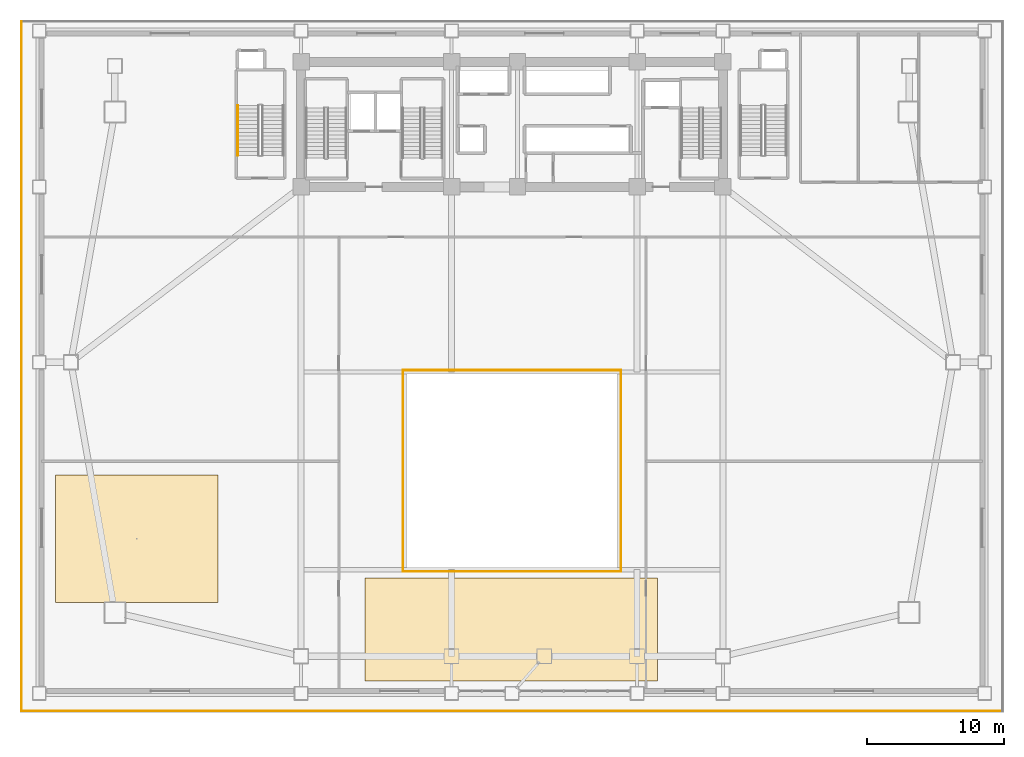
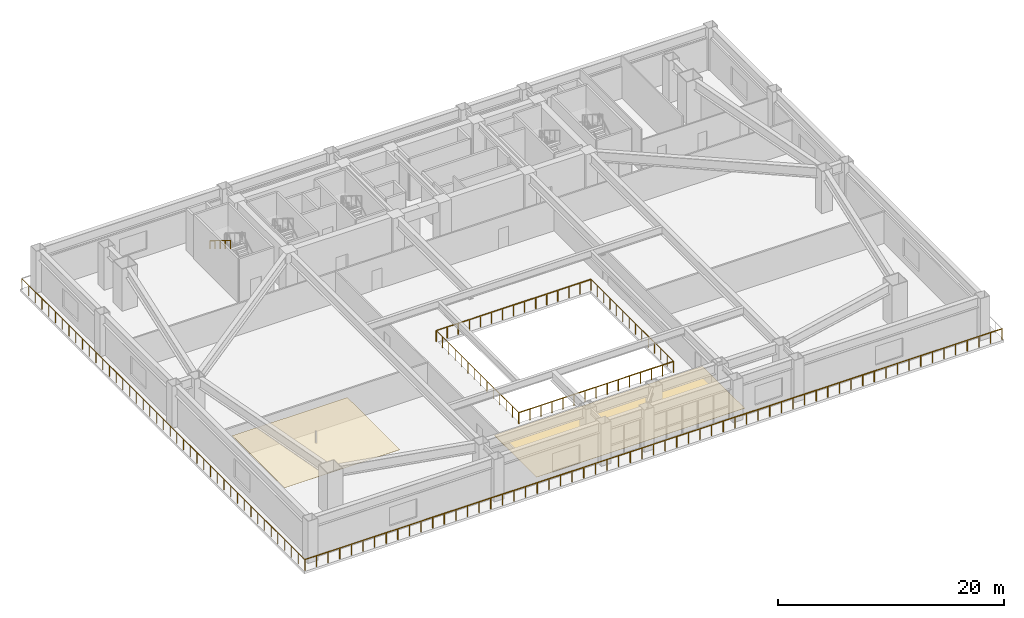
# One storey, part 11 of 14: 7 railings, 2 coverings.
"""IFC4 building model written with IfcOpenShell, lengths in metres."""

from ifc_helpers import new_model, si_unit, direction, frame, origin, origin_2d, place, context, subcontext, project, spatial, polyline, rectangle, outline, extrude, material, layer, layer_set, type_object, element, save


model = new_model("IFC4")

# Units and contexts
model_context = context("Model", 3, precision=1e-05, world=origin(), true_north=direction((0.0, 1.0)))
body_context = subcontext(model_context, "Body", "Model", "MODEL_VIEW")
ifc_project = project(units=[si_unit("LENGTHUNIT", "METRE"), si_unit("AREAUNIT", "SQUARE_METRE"), si_unit("VOLUMEUNIT", "CUBIC_METRE"), si_unit("PLANEANGLEUNIT", "RADIAN"), si_unit("MASSUNIT", "GRAM", prefix="KILO")], contexts=[model_context])

# Site, building, storey
site_placement = place(None, origin())
site = spatial("IfcSite", under=ifc_project, at=site_placement, CompositionType="ELEMENT")
building_placement = place(site_placement, origin())
building = spatial("IfcBuilding", under=site, at=building_placement, Name="Giltprow Tower", CompositionType="ELEMENT")
storey_placement = place(building_placement, frame((0.0, 0.0, 10.39990234375)))
storey = spatial("IfcBuildingStorey", under=building, at=storey_placement, Name="L03", CompositionType="ELEMENT", Elevation=10.39990234375)

# Coverings
ifc_material_1 = material(Name="Acoustic mineral fibre", Category="gypsum")
ifc_layer_1 = layer(ifc_material_1, 0.030029296875, Name="Acoustic mineral fibre")
ifc_layer_set_1 = layer_set([ifc_layer_1], Name="Acoustic mineral fibre")
covering_type_1 = type_object("IfcCoveringType", Name="COV-CLG-ACOUSTIC", PredefinedType="CEILING", material=ifc_layer_set_1)
covering_1_placement = place(storey_placement, frame((0.0, 0.0, 3.27001953125)))
element("IfcCovering", 1, at=covering_1_placement, inside=storey, type_object=covering_type_1, Name="L03 Acoustic Suspended Ceiling", PredefinedType="CEILING", context=body_context, shape_type="SweptSolid", body=[
    extrude(outline(polyline([(2.0, 7.199951171875), (13.800048828125, 7.199951171875), (13.800048828125, 16.5), (2.0, 16.5), (2.0, 7.199951171875)])), origin(), (0.0, 0.0, 1.0), 0.030029296875),
])
ifc_material_2 = material(Name="Honed granite", Category="masonry")
ifc_layer_2 = layer(ifc_material_2, 0.030029296875, Name="Honed granite")
ifc_layer_set_2 = layer_set([ifc_layer_2], Name="Honed granite")
covering_type_2 = type_object("IfcCoveringType", Name="COV-FLR-STONE", PredefinedType="FLOORING", material=ifc_layer_set_2)
covering_2_placement = place(storey_placement, origin())
element("IfcCovering", 2, at=covering_2_placement, inside=storey, type_object=covering_type_2, Name="L03 Honed Granite Concourse Flooring", PredefinedType="FLOORING", context=body_context, shape_type="SweptSolid", body=[
    extrude(outline(polyline([(24.5, 1.5), (45.800048828125, 1.5), (45.800048828125, 9.0), (24.5, 9.0), (24.5, 1.5)])), origin(), (0.0, 0.0, 1.0), 0.030029296875),
])

# Railings
ifc_material_3 = material(Name="Anodized bronze", Category="metal")
railing_type_1 = type_object("IfcRailingType", Name="RAIL-ATR-BAL-1220", PredefinedType="BALUSTRADE", material=ifc_material_3)
railing_1_placement = place(storey_placement, frame((27.280029296875, 9.47998046875, 0.0)))
element("IfcRailing", 3, at=railing_1_placement, inside=storey, type_object=railing_type_1, Name="L03 Podium Atrium Balustrade Seg 1", PredefinedType="BALUSTRADE", context=body_context, shape_type="SweptSolid", body=[
    extrude(rectangle(XDim=0.048095703125, YDim=0.048095703125, at=origin_2d()), frame((0.0, 0.0, 1.19580078125), z_axis=(1.0, 0.0, 0.0), x_axis=(0.0, 1.0, 0.0)), (0.0, 0.0, 1.0), 15.840087890625),
    extrude(rectangle(XDim=0.0419921875, YDim=0.0419921875, at=origin_2d()), origin(), (0.0, 0.0, 1.0), 1.171875),
    extrude(rectangle(XDim=0.0419921875, YDim=0.0419921875, at=origin_2d()), frame((1.13134765625, 0.0, 0.0)), (0.0, 0.0, 1.0), 1.171875),
    extrude(rectangle(XDim=0.0419921875, YDim=0.0419921875, at=origin_2d()), frame((2.262939453125, 0.0, 0.0)), (0.0, 0.0, 1.0), 1.171875),
    extrude(rectangle(XDim=0.0419921875, YDim=0.0419921875, at=origin_2d()), frame((3.394287109375, 0.0, 0.0)), (0.0, 0.0, 1.0), 1.171875),
    extrude(rectangle(XDim=0.0419921875, YDim=0.0419921875, at=origin_2d()), frame((4.525634765625, 0.0, 0.0)), (0.0, 0.0, 1.0), 1.171875),
    extrude(rectangle(XDim=0.0419921875, YDim=0.0419921875, at=origin_2d()), frame((5.6572265625, 0.0, 0.0)), (0.0, 0.0, 1.0), 1.171875),
    extrude(rectangle(XDim=0.0419921875, YDim=0.0419921875, at=origin_2d()), frame((6.78857421875, 0.0, 0.0)), (0.0, 0.0, 1.0), 1.171875),
    extrude(rectangle(XDim=0.0419921875, YDim=0.0419921875, at=origin_2d()), frame((7.919921875, 0.0, 0.0)), (0.0, 0.0, 1.0), 1.171875),
    extrude(rectangle(XDim=0.0419921875, YDim=0.0419921875, at=origin_2d()), frame((9.051513671875, 0.0, 0.0)), (0.0, 0.0, 1.0), 1.171875),
    extrude(rectangle(XDim=0.0419921875, YDim=0.0419921875, at=origin_2d()), frame((10.182861328125, 0.0, 0.0)), (0.0, 0.0, 1.0), 1.171875),
    extrude(rectangle(XDim=0.0419921875, YDim=0.0419921875, at=origin_2d()), frame((11.314453125, 0.0, 0.0)), (0.0, 0.0, 1.0), 1.171875),
    extrude(rectangle(XDim=0.0419921875, YDim=0.0419921875, at=origin_2d()), frame((12.44580078125, 0.0, 0.0)), (0.0, 0.0, 1.0), 1.171875),
    extrude(rectangle(XDim=0.0419921875, YDim=0.0419921875, at=origin_2d()), frame((13.5771484375, 0.0, 0.0)), (0.0, 0.0, 1.0), 1.171875),
    extrude(rectangle(XDim=0.0419921875, YDim=0.0419921875, at=origin_2d()), frame((14.708740234375, 0.0, 0.0)), (0.0, 0.0, 1.0), 1.171875),
    extrude(rectangle(XDim=0.0419921875, YDim=0.0419921875, at=origin_2d()), frame((15.840087890625, 0.0, 0.0)), (0.0, 0.0, 1.0), 1.171875),
])
railing_2_placement = place(storey_placement, frame((43.1201171875, 9.47998046875, 0.0)))
element("IfcRailing", 4, at=railing_2_placement, inside=storey, type_object=railing_type_1, Name="L03 Podium Atrium Balustrade Seg 2", PredefinedType="BALUSTRADE", context=body_context, shape_type="SweptSolid", body=[
    extrude(rectangle(XDim=0.048095703125, YDim=0.048095703125, at=origin_2d()), frame((0.0, 0.0, 1.19580078125), z_axis=(0.0, 1.0, 0.0), x_axis=(-1.0, 0.0, 0.0)), (0.0, 0.0, 1.0), 14.64013671875),
    extrude(rectangle(XDim=0.0419921875, YDim=0.0419921875, at=origin_2d()), origin(), (0.0, 0.0, 1.0), 1.171875),
    extrude(rectangle(XDim=0.0419921875, YDim=0.0419921875, at=origin_2d()), frame((0.0, 1.126220703125, 0.0)), (0.0, 0.0, 1.0), 1.171875),
    extrude(rectangle(XDim=0.0419921875, YDim=0.0419921875, at=origin_2d()), frame((0.0, 2.25244140625, 0.0)), (0.0, 0.0, 1.0), 1.171875),
    extrude(rectangle(XDim=0.0419921875, YDim=0.0419921875, at=origin_2d()), frame((0.0, 3.37841796875, 0.0)), (0.0, 0.0, 1.0), 1.171875),
    extrude(rectangle(XDim=0.0419921875, YDim=0.0419921875, at=origin_2d()), frame((0.0, 4.504638671875, 0.0)), (0.0, 0.0, 1.0), 1.171875),
    extrude(rectangle(XDim=0.0419921875, YDim=0.0419921875, at=origin_2d()), frame((0.0, 5.630859375, 0.0)), (0.0, 0.0, 1.0), 1.171875),
    extrude(rectangle(XDim=0.0419921875, YDim=0.0419921875, at=origin_2d()), frame((0.0, 6.757080078125, 0.0)), (0.0, 0.0, 1.0), 1.171875),
    extrude(rectangle(XDim=0.0419921875, YDim=0.0419921875, at=origin_2d()), frame((0.0, 7.883056640625, 0.0)), (0.0, 0.0, 1.0), 1.171875),
    extrude(rectangle(XDim=0.0419921875, YDim=0.0419921875, at=origin_2d()), frame((0.0, 9.00927734375, 0.0)), (0.0, 0.0, 1.0), 1.171875),
    extrude(rectangle(XDim=0.0419921875, YDim=0.0419921875, at=origin_2d()), frame((0.0, 10.135498046875, 0.0)), (0.0, 0.0, 1.0), 1.171875),
    extrude(rectangle(XDim=0.0419921875, YDim=0.0419921875, at=origin_2d()), frame((0.0, 11.26171875, 0.0)), (0.0, 0.0, 1.0), 1.171875),
    extrude(rectangle(XDim=0.0419921875, YDim=0.0419921875, at=origin_2d()), frame((0.0, 12.3876953125, 0.0)), (0.0, 0.0, 1.0), 1.171875),
    extrude(rectangle(XDim=0.0419921875, YDim=0.0419921875, at=origin_2d()), frame((0.0, 13.513916015625, 0.0)), (0.0, 0.0, 1.0), 1.171875),
    extrude(rectangle(XDim=0.0419921875, YDim=0.0419921875, at=origin_2d()), frame((0.0, 14.64013671875, 0.0)), (0.0, 0.0, 1.0), 1.171875),
])
railing_3_placement = place(storey_placement, frame((43.1201171875, 24.1201171875, 0.0)))
element("IfcRailing", 5, at=railing_3_placement, inside=storey, type_object=railing_type_1, Name="L03 Podium Atrium Balustrade Seg 3", PredefinedType="BALUSTRADE", context=body_context, shape_type="SweptSolid", body=[
    extrude(rectangle(XDim=0.048095703125, YDim=0.048095703125, at=origin_2d()), frame((0.0, 0.0, 1.19580078125), z_axis=(-1.0, 0.0, 0.0), x_axis=(0.0, -1.0, 0.0)), (0.0, 0.0, 1.0), 15.840087890625),
    extrude(rectangle(XDim=0.0419921875, YDim=0.0419921875, at=origin_2d()), origin(), (0.0, 0.0, 1.0), 1.171875),
    extrude(rectangle(XDim=0.0419921875, YDim=0.0419921875, at=origin_2d()), frame((-1.13134765625, 0.0, 0.0)), (0.0, 0.0, 1.0), 1.171875),
    extrude(rectangle(XDim=0.0419921875, YDim=0.0419921875, at=origin_2d()), frame((-2.262939453125, 0.0, 0.0)), (0.0, 0.0, 1.0), 1.171875),
    extrude(rectangle(XDim=0.0419921875, YDim=0.0419921875, at=origin_2d()), frame((-3.394287109375, 0.0, 0.0)), (0.0, 0.0, 1.0), 1.171875),
    extrude(rectangle(XDim=0.0419921875, YDim=0.0419921875, at=origin_2d()), frame((-4.525634765625, 0.0, 0.0)), (0.0, 0.0, 1.0), 1.171875),
    extrude(rectangle(XDim=0.0419921875, YDim=0.0419921875, at=origin_2d()), frame((-5.6572265625, 0.0, 0.0)), (0.0, 0.0, 1.0), 1.171875),
    extrude(rectangle(XDim=0.0419921875, YDim=0.0419921875, at=origin_2d()), frame((-6.78857421875, 0.0, 0.0)), (0.0, 0.0, 1.0), 1.171875),
    extrude(rectangle(XDim=0.0419921875, YDim=0.0419921875, at=origin_2d()), frame((-7.919921875, 0.0, 0.0)), (0.0, 0.0, 1.0), 1.171875),
    extrude(rectangle(XDim=0.0419921875, YDim=0.0419921875, at=origin_2d()), frame((-9.051513671875, 0.0, 0.0)), (0.0, 0.0, 1.0), 1.171875),
    extrude(rectangle(XDim=0.0419921875, YDim=0.0419921875, at=origin_2d()), frame((-10.182861328125, 0.0, 0.0)), (0.0, 0.0, 1.0), 1.171875),
    extrude(rectangle(XDim=0.0419921875, YDim=0.0419921875, at=origin_2d()), frame((-11.314453125, 0.0, 0.0)), (0.0, 0.0, 1.0), 1.171875),
    extrude(rectangle(XDim=0.0419921875, YDim=0.0419921875, at=origin_2d()), frame((-12.44580078125, 0.0, 0.0)), (0.0, 0.0, 1.0), 1.171875),
    extrude(rectangle(XDim=0.0419921875, YDim=0.0419921875, at=origin_2d()), frame((-13.5771484375, 0.0, 0.0)), (0.0, 0.0, 1.0), 1.171875),
    extrude(rectangle(XDim=0.0419921875, YDim=0.0419921875, at=origin_2d()), frame((-14.708740234375, 0.0, 0.0)), (0.0, 0.0, 1.0), 1.171875),
    extrude(rectangle(XDim=0.0419921875, YDim=0.0419921875, at=origin_2d()), frame((-15.840087890625, 0.0, 0.0)), (0.0, 0.0, 1.0), 1.171875),
])
railing_4_placement = place(storey_placement, frame((27.280029296875, 24.1201171875, 0.0)))
element("IfcRailing", 6, at=railing_4_placement, inside=storey, type_object=railing_type_1, Name="L03 Podium Atrium Balustrade Seg 4", PredefinedType="BALUSTRADE", context=body_context, shape_type="SweptSolid", body=[
    extrude(rectangle(XDim=0.048095703125, YDim=0.048095703125, at=origin_2d()), frame((0.0, 0.0, 1.19580078125), z_axis=(0.0, -1.0, 0.0), x_axis=(1.0, 0.0, 0.0)), (0.0, 0.0, 1.0), 14.64013671875),
    extrude(rectangle(XDim=0.0419921875, YDim=0.0419921875, at=origin_2d()), origin(), (0.0, 0.0, 1.0), 1.171875),
    extrude(rectangle(XDim=0.0419921875, YDim=0.0419921875, at=origin_2d()), frame((0.0, -1.126220703125, 0.0)), (0.0, 0.0, 1.0), 1.171875),
    extrude(rectangle(XDim=0.0419921875, YDim=0.0419921875, at=origin_2d()), frame((0.0, -2.25244140625, 0.0)), (0.0, 0.0, 1.0), 1.171875),
    extrude(rectangle(XDim=0.0419921875, YDim=0.0419921875, at=origin_2d()), frame((0.0, -3.37841796875, 0.0)), (0.0, 0.0, 1.0), 1.171875),
    extrude(rectangle(XDim=0.0419921875, YDim=0.0419921875, at=origin_2d()), frame((0.0, -4.504638671875, 0.0)), (0.0, 0.0, 1.0), 1.171875),
    extrude(rectangle(XDim=0.0419921875, YDim=0.0419921875, at=origin_2d()), frame((0.0, -5.630859375, 0.0)), (0.0, 0.0, 1.0), 1.171875),
    extrude(rectangle(XDim=0.0419921875, YDim=0.0419921875, at=origin_2d()), frame((0.0, -6.757080078125, 0.0)), (0.0, 0.0, 1.0), 1.171875),
    extrude(rectangle(XDim=0.0419921875, YDim=0.0419921875, at=origin_2d()), frame((0.0, -7.883056640625, 0.0)), (0.0, 0.0, 1.0), 1.171875),
    extrude(rectangle(XDim=0.0419921875, YDim=0.0419921875, at=origin_2d()), frame((0.0, -9.00927734375, 0.0)), (0.0, 0.0, 1.0), 1.171875),
    extrude(rectangle(XDim=0.0419921875, YDim=0.0419921875, at=origin_2d()), frame((0.0, -10.135498046875, 0.0)), (0.0, 0.0, 1.0), 1.171875),
    extrude(rectangle(XDim=0.0419921875, YDim=0.0419921875, at=origin_2d()), frame((0.0, -11.26171875, 0.0)), (0.0, 0.0, 1.0), 1.171875),
    extrude(rectangle(XDim=0.0419921875, YDim=0.0419921875, at=origin_2d()), frame((0.0, -12.3876953125, 0.0)), (0.0, 0.0, 1.0), 1.171875),
    extrude(rectangle(XDim=0.0419921875, YDim=0.0419921875, at=origin_2d()), frame((0.0, -13.513916015625, 0.0)), (0.0, 0.0, 1.0), 1.171875),
    extrude(rectangle(XDim=0.0419921875, YDim=0.0419921875, at=origin_2d()), frame((0.0, -14.64013671875, 0.0)), (0.0, 0.0, 1.0), 1.171875),
])
railing_type_2 = type_object("IfcRailingType", Name="RAIL-BALC-GUARD-1200", PredefinedType="BALUSTRADE", material=ifc_material_3)
railing_5_placement = place(storey_placement, frame((-0.47998046875, -0.679931640625, 0.0)))
element("IfcRailing", 7, at=railing_5_placement, inside=storey, type_object=railing_type_2, Name="L03 Podium Perimeter Cornice Balustrade Seg 1", PredefinedType="BALUSTRADE", context=body_context, shape_type="SweptSolid", body=[
    extrude(rectangle(XDim=0.048095703125, YDim=0.048095703125, at=origin_2d()), frame((0.0, 0.0, 1.17578125), z_axis=(1.0, 0.0, 0.0), x_axis=(0.0, 1.0, 0.0)), (0.0, 0.0, 1.0), 71.35986328125),
    extrude(rectangle(XDim=0.0419921875, YDim=0.0419921875, at=origin_2d()), origin(), (0.0, 0.0, 1.0), 1.15185546875),
    extrude(rectangle(XDim=0.0419921875, YDim=0.0419921875, at=origin_2d()), frame((1.189453125, 0.0, 0.0)), (0.0, 0.0, 1.0), 1.15185546875),
    extrude(rectangle(XDim=0.0419921875, YDim=0.0419921875, at=origin_2d()), frame((2.378662109375, 0.0, 0.0)), (0.0, 0.0, 1.0), 1.15185546875),
    extrude(rectangle(XDim=0.0419921875, YDim=0.0419921875, at=origin_2d()), frame((3.56787109375, 0.0, 0.0)), (0.0, 0.0, 1.0), 1.15185546875),
    extrude(rectangle(XDim=0.0419921875, YDim=0.0419921875, at=origin_2d()), frame((4.75732421875, 0.0, 0.0)), (0.0, 0.0, 1.0), 1.15185546875),
    extrude(rectangle(XDim=0.0419921875, YDim=0.0419921875, at=origin_2d()), frame((5.94677734375, 0.0, 0.0)), (0.0, 0.0, 1.0), 1.15185546875),
    extrude(rectangle(XDim=0.0419921875, YDim=0.0419921875, at=origin_2d()), frame((7.135986328125, 0.0, 0.0)), (0.0, 0.0, 1.0), 1.15185546875),
    extrude(rectangle(XDim=0.0419921875, YDim=0.0419921875, at=origin_2d()), frame((8.3251953125, 0.0, 0.0)), (0.0, 0.0, 1.0), 1.15185546875),
    extrude(rectangle(XDim=0.0419921875, YDim=0.0419921875, at=origin_2d()), frame((9.5146484375, 0.0, 0.0)), (0.0, 0.0, 1.0), 1.15185546875),
    extrude(rectangle(XDim=0.0419921875, YDim=0.0419921875, at=origin_2d()), frame((10.7041015625, 0.0, 0.0)), (0.0, 0.0, 1.0), 1.15185546875),
    extrude(rectangle(XDim=0.0419921875, YDim=0.0419921875, at=origin_2d()), frame((11.893310546875, 0.0, 0.0)), (0.0, 0.0, 1.0), 1.15185546875),
    extrude(rectangle(XDim=0.0419921875, YDim=0.0419921875, at=origin_2d()), frame((13.08251953125, 0.0, 0.0)), (0.0, 0.0, 1.0), 1.15185546875),
    extrude(rectangle(XDim=0.0419921875, YDim=0.0419921875, at=origin_2d()), frame((14.27197265625, 0.0, 0.0)), (0.0, 0.0, 1.0), 1.15185546875),
    extrude(rectangle(XDim=0.0419921875, YDim=0.0419921875, at=origin_2d()), frame((15.46142578125, 0.0, 0.0)), (0.0, 0.0, 1.0), 1.15185546875),
    extrude(rectangle(XDim=0.0419921875, YDim=0.0419921875, at=origin_2d()), frame((16.650634765625, 0.0, 0.0)), (0.0, 0.0, 1.0), 1.15185546875),
    extrude(rectangle(XDim=0.0419921875, YDim=0.0419921875, at=origin_2d()), frame((17.83984375, 0.0, 0.0)), (0.0, 0.0, 1.0), 1.15185546875),
    extrude(rectangle(XDim=0.0419921875, YDim=0.0419921875, at=origin_2d()), frame((19.029296875, 0.0, 0.0)), (0.0, 0.0, 1.0), 1.15185546875),
    extrude(rectangle(XDim=0.0419921875, YDim=0.0419921875, at=origin_2d()), frame((20.21875, 0.0, 0.0)), (0.0, 0.0, 1.0), 1.15185546875),
    extrude(rectangle(XDim=0.0419921875, YDim=0.0419921875, at=origin_2d()), frame((21.407958984375, 0.0, 0.0)), (0.0, 0.0, 1.0), 1.15185546875),
    extrude(rectangle(XDim=0.0419921875, YDim=0.0419921875, at=origin_2d()), frame((22.59716796875, 0.0, 0.0)), (0.0, 0.0, 1.0), 1.15185546875),
    extrude(rectangle(XDim=0.0419921875, YDim=0.0419921875, at=origin_2d()), frame((23.78662109375, 0.0, 0.0)), (0.0, 0.0, 1.0), 1.15185546875),
    extrude(rectangle(XDim=0.0419921875, YDim=0.0419921875, at=origin_2d()), frame((24.97607421875, 0.0, 0.0)), (0.0, 0.0, 1.0), 1.15185546875),
    extrude(rectangle(XDim=0.0419921875, YDim=0.0419921875, at=origin_2d()), frame((26.165283203125, 0.0, 0.0)), (0.0, 0.0, 1.0), 1.15185546875),
    extrude(rectangle(XDim=0.0419921875, YDim=0.0419921875, at=origin_2d()), frame((27.354736328125, 0.0, 0.0)), (0.0, 0.0, 1.0), 1.15185546875),
    extrude(rectangle(XDim=0.0419921875, YDim=0.0419921875, at=origin_2d()), frame((28.5439453125, 0.0, 0.0)), (0.0, 0.0, 1.0), 1.15185546875),
    extrude(rectangle(XDim=0.0419921875, YDim=0.0419921875, at=origin_2d()), frame((29.7333984375, 0.0, 0.0)), (0.0, 0.0, 1.0), 1.15185546875),
    extrude(rectangle(XDim=0.0419921875, YDim=0.0419921875, at=origin_2d()), frame((30.922607421875, 0.0, 0.0)), (0.0, 0.0, 1.0), 1.15185546875),
    extrude(rectangle(XDim=0.0419921875, YDim=0.0419921875, at=origin_2d()), frame((32.11181640625, 0.0, 0.0)), (0.0, 0.0, 1.0), 1.15185546875),
    extrude(rectangle(XDim=0.0419921875, YDim=0.0419921875, at=origin_2d()), frame((33.30126953125, 0.0, 0.0)), (0.0, 0.0, 1.0), 1.15185546875),
    extrude(rectangle(XDim=0.0419921875, YDim=0.0419921875, at=origin_2d()), frame((34.49072265625, 0.0, 0.0)), (0.0, 0.0, 1.0), 1.15185546875),
    extrude(rectangle(XDim=0.0419921875, YDim=0.0419921875, at=origin_2d()), frame((35.679931640625, 0.0, 0.0)), (0.0, 0.0, 1.0), 1.15185546875),
    extrude(rectangle(XDim=0.0419921875, YDim=0.0419921875, at=origin_2d()), frame((36.869384765625, 0.0, 0.0)), (0.0, 0.0, 1.0), 1.15185546875),
    extrude(rectangle(XDim=0.0419921875, YDim=0.0419921875, at=origin_2d()), frame((38.05859375, 0.0, 0.0)), (0.0, 0.0, 1.0), 1.15185546875),
    extrude(rectangle(XDim=0.0419921875, YDim=0.0419921875, at=origin_2d()), frame((39.248046875, 0.0, 0.0)), (0.0, 0.0, 1.0), 1.15185546875),
    extrude(rectangle(XDim=0.0419921875, YDim=0.0419921875, at=origin_2d()), frame((40.437255859375, 0.0, 0.0)), (0.0, 0.0, 1.0), 1.15185546875),
    extrude(rectangle(XDim=0.0419921875, YDim=0.0419921875, at=origin_2d()), frame((41.62646484375, 0.0, 0.0)), (0.0, 0.0, 1.0), 1.15185546875),
    extrude(rectangle(XDim=0.0419921875, YDim=0.0419921875, at=origin_2d()), frame((42.81591796875, 0.0, 0.0)), (0.0, 0.0, 1.0), 1.15185546875),
    extrude(rectangle(XDim=0.0419921875, YDim=0.0419921875, at=origin_2d()), frame((44.00537109375, 0.0, 0.0)), (0.0, 0.0, 1.0), 1.15185546875),
    extrude(rectangle(XDim=0.0419921875, YDim=0.0419921875, at=origin_2d()), frame((45.194580078125, 0.0, 0.0)), (0.0, 0.0, 1.0), 1.15185546875),
    extrude(rectangle(XDim=0.0419921875, YDim=0.0419921875, at=origin_2d()), frame((46.3837890625, 0.0, 0.0)), (0.0, 0.0, 1.0), 1.15185546875),
    extrude(rectangle(XDim=0.0419921875, YDim=0.0419921875, at=origin_2d()), frame((47.5732421875, 0.0, 0.0)), (0.0, 0.0, 1.0), 1.15185546875),
    extrude(rectangle(XDim=0.0419921875, YDim=0.0419921875, at=origin_2d()), frame((48.7626953125, 0.0, 0.0)), (0.0, 0.0, 1.0), 1.15185546875),
    extrude(rectangle(XDim=0.0419921875, YDim=0.0419921875, at=origin_2d()), frame((49.951904296875, 0.0, 0.0)), (0.0, 0.0, 1.0), 1.15185546875),
    extrude(rectangle(XDim=0.0419921875, YDim=0.0419921875, at=origin_2d()), frame((51.14111328125, 0.0, 0.0)), (0.0, 0.0, 1.0), 1.15185546875),
    extrude(rectangle(XDim=0.0419921875, YDim=0.0419921875, at=origin_2d()), frame((52.33056640625, 0.0, 0.0)), (0.0, 0.0, 1.0), 1.15185546875),
    extrude(rectangle(XDim=0.0419921875, YDim=0.0419921875, at=origin_2d()), frame((53.52001953125, 0.0, 0.0)), (0.0, 0.0, 1.0), 1.15185546875),
    extrude(rectangle(XDim=0.0419921875, YDim=0.0419921875, at=origin_2d()), frame((54.709228515625, 0.0, 0.0)), (0.0, 0.0, 1.0), 1.15185546875),
    extrude(rectangle(XDim=0.0419921875, YDim=0.0419921875, at=origin_2d()), frame((55.8984375, 0.0, 0.0)), (0.0, 0.0, 1.0), 1.15185546875),
    extrude(rectangle(XDim=0.0419921875, YDim=0.0419921875, at=origin_2d()), frame((57.087890625, 0.0, 0.0)), (0.0, 0.0, 1.0), 1.15185546875),
    extrude(rectangle(XDim=0.0419921875, YDim=0.0419921875, at=origin_2d()), frame((58.27734375, 0.0, 0.0)), (0.0, 0.0, 1.0), 1.15185546875),
    extrude(rectangle(XDim=0.0419921875, YDim=0.0419921875, at=origin_2d()), frame((59.466552734375, 0.0, 0.0)), (0.0, 0.0, 1.0), 1.15185546875),
    extrude(rectangle(XDim=0.0419921875, YDim=0.0419921875, at=origin_2d()), frame((60.65576171875, 0.0, 0.0)), (0.0, 0.0, 1.0), 1.15185546875),
    extrude(rectangle(XDim=0.0419921875, YDim=0.0419921875, at=origin_2d()), frame((61.84521484375, 0.0, 0.0)), (0.0, 0.0, 1.0), 1.15185546875),
    extrude(rectangle(XDim=0.0419921875, YDim=0.0419921875, at=origin_2d()), frame((63.03466796875, 0.0, 0.0)), (0.0, 0.0, 1.0), 1.15185546875),
    extrude(rectangle(XDim=0.0419921875, YDim=0.0419921875, at=origin_2d()), frame((64.223876953125, 0.0, 0.0)), (0.0, 0.0, 1.0), 1.15185546875),
    extrude(rectangle(XDim=0.0419921875, YDim=0.0419921875, at=origin_2d()), frame((65.4130859375, 0.0, 0.0)), (0.0, 0.0, 1.0), 1.15185546875),
    extrude(rectangle(XDim=0.0419921875, YDim=0.0419921875, at=origin_2d()), frame((66.6025390625, 0.0, 0.0)), (0.0, 0.0, 1.0), 1.15185546875),
    extrude(rectangle(XDim=0.0419921875, YDim=0.0419921875, at=origin_2d()), frame((67.7919921875, 0.0, 0.0)), (0.0, 0.0, 1.0), 1.15185546875),
    extrude(rectangle(XDim=0.0419921875, YDim=0.0419921875, at=origin_2d()), frame((68.981201171875, 0.0, 0.0)), (0.0, 0.0, 1.0), 1.15185546875),
    extrude(rectangle(XDim=0.0419921875, YDim=0.0419921875, at=origin_2d()), frame((70.17041015625, 0.0, 0.0)), (0.0, 0.0, 1.0), 1.15185546875),
    extrude(rectangle(XDim=0.0419921875, YDim=0.0419921875, at=origin_2d()), frame((71.35986328125, 0.0, 0.0)), (0.0, 0.0, 1.0), 1.15185546875),
])
railing_6_placement = place(storey_placement, frame((-0.47998046875, 49.47998046875, 0.0)))
element("IfcRailing", 8, at=railing_6_placement, inside=storey, type_object=railing_type_2, Name="L03 Podium Perimeter Cornice Balustrade Seg 4", PredefinedType="BALUSTRADE", context=body_context, shape_type="SweptSolid", body=[
    extrude(rectangle(XDim=0.048095703125, YDim=0.048095703125, at=origin_2d()), frame((0.0, 0.0, 1.17578125), z_axis=(0.0, -1.0, 0.0), x_axis=(1.0, 0.0, 0.0)), (0.0, 0.0, 1.0), 50.159912109375),
    extrude(rectangle(XDim=0.0419921875, YDim=0.0419921875, at=origin_2d()), origin(), (0.0, 0.0, 1.0), 1.15185546875),
    extrude(rectangle(XDim=0.0419921875, YDim=0.0419921875, at=origin_2d()), frame((0.0, -1.1943359375, 0.0)), (0.0, 0.0, 1.0), 1.15185546875),
    extrude(rectangle(XDim=0.0419921875, YDim=0.0419921875, at=origin_2d()), frame((0.0, -2.388671875, 0.0)), (0.0, 0.0, 1.0), 1.15185546875),
    extrude(rectangle(XDim=0.0419921875, YDim=0.0419921875, at=origin_2d()), frame((0.0, -3.582763671875, 0.0)), (0.0, 0.0, 1.0), 1.15185546875),
    extrude(rectangle(XDim=0.0419921875, YDim=0.0419921875, at=origin_2d()), frame((0.0, -4.777099609375, 0.0)), (0.0, 0.0, 1.0), 1.15185546875),
    extrude(rectangle(XDim=0.0419921875, YDim=0.0419921875, at=origin_2d()), frame((0.0, -5.971435546875, 0.0)), (0.0, 0.0, 1.0), 1.15185546875),
    extrude(rectangle(XDim=0.0419921875, YDim=0.0419921875, at=origin_2d()), frame((0.0, -7.165771484375, 0.0)), (0.0, 0.0, 1.0), 1.15185546875),
    extrude(rectangle(XDim=0.0419921875, YDim=0.0419921875, at=origin_2d()), frame((0.0, -8.35986328125, 0.0)), (0.0, 0.0, 1.0), 1.15185546875),
    extrude(rectangle(XDim=0.0419921875, YDim=0.0419921875, at=origin_2d()), frame((0.0, -9.55419921875, 0.0)), (0.0, 0.0, 1.0), 1.15185546875),
    extrude(rectangle(XDim=0.0419921875, YDim=0.0419921875, at=origin_2d()), frame((0.0, -10.74853515625, 0.0)), (0.0, 0.0, 1.0), 1.15185546875),
    extrude(rectangle(XDim=0.0419921875, YDim=0.0419921875, at=origin_2d()), frame((0.0, -11.94287109375, 0.0)), (0.0, 0.0, 1.0), 1.15185546875),
    extrude(rectangle(XDim=0.0419921875, YDim=0.0419921875, at=origin_2d()), frame((0.0, -13.13720703125, 0.0)), (0.0, 0.0, 1.0), 1.15185546875),
    extrude(rectangle(XDim=0.0419921875, YDim=0.0419921875, at=origin_2d()), frame((0.0, -14.331298828125, 0.0)), (0.0, 0.0, 1.0), 1.15185546875),
    extrude(rectangle(XDim=0.0419921875, YDim=0.0419921875, at=origin_2d()), frame((0.0, -15.525634765625, 0.0)), (0.0, 0.0, 1.0), 1.15185546875),
    extrude(rectangle(XDim=0.0419921875, YDim=0.0419921875, at=origin_2d()), frame((0.0, -16.719970703125, 0.0)), (0.0, 0.0, 1.0), 1.15185546875),
    extrude(rectangle(XDim=0.0419921875, YDim=0.0419921875, at=origin_2d()), frame((0.0, -17.914306640625, 0.0)), (0.0, 0.0, 1.0), 1.15185546875),
    extrude(rectangle(XDim=0.0419921875, YDim=0.0419921875, at=origin_2d()), frame((0.0, -19.108642578125, 0.0)), (0.0, 0.0, 1.0), 1.15185546875),
    extrude(rectangle(XDim=0.0419921875, YDim=0.0419921875, at=origin_2d()), frame((0.0, -20.302734375, 0.0)), (0.0, 0.0, 1.0), 1.15185546875),
    extrude(rectangle(XDim=0.0419921875, YDim=0.0419921875, at=origin_2d()), frame((0.0, -21.4970703125, 0.0)), (0.0, 0.0, 1.0), 1.15185546875),
    extrude(rectangle(XDim=0.0419921875, YDim=0.0419921875, at=origin_2d()), frame((0.0, -22.69140625, 0.0)), (0.0, 0.0, 1.0), 1.15185546875),
    extrude(rectangle(XDim=0.0419921875, YDim=0.0419921875, at=origin_2d()), frame((0.0, -23.8857421875, 0.0)), (0.0, 0.0, 1.0), 1.15185546875),
    extrude(rectangle(XDim=0.0419921875, YDim=0.0419921875, at=origin_2d()), frame((0.0, -25.080078125, 0.0)), (0.0, 0.0, 1.0), 1.15185546875),
    extrude(rectangle(XDim=0.0419921875, YDim=0.0419921875, at=origin_2d()), frame((0.0, -26.274169921875, 0.0)), (0.0, 0.0, 1.0), 1.15185546875),
    extrude(rectangle(XDim=0.0419921875, YDim=0.0419921875, at=origin_2d()), frame((0.0, -27.468505859375, 0.0)), (0.0, 0.0, 1.0), 1.15185546875),
    extrude(rectangle(XDim=0.0419921875, YDim=0.0419921875, at=origin_2d()), frame((0.0, -28.662841796875, 0.0)), (0.0, 0.0, 1.0), 1.15185546875),
    extrude(rectangle(XDim=0.0419921875, YDim=0.0419921875, at=origin_2d()), frame((0.0, -29.857177734375, 0.0)), (0.0, 0.0, 1.0), 1.15185546875),
    extrude(rectangle(XDim=0.0419921875, YDim=0.0419921875, at=origin_2d()), frame((0.0, -31.05126953125, 0.0)), (0.0, 0.0, 1.0), 1.15185546875),
    extrude(rectangle(XDim=0.0419921875, YDim=0.0419921875, at=origin_2d()), frame((0.0, -32.24560546875, 0.0)), (0.0, 0.0, 1.0), 1.15185546875),
    extrude(rectangle(XDim=0.0419921875, YDim=0.0419921875, at=origin_2d()), frame((0.0, -33.43994140625, 0.0)), (0.0, 0.0, 1.0), 1.15185546875),
    extrude(rectangle(XDim=0.0419921875, YDim=0.0419921875, at=origin_2d()), frame((0.0, -34.63427734375, 0.0)), (0.0, 0.0, 1.0), 1.15185546875),
    extrude(rectangle(XDim=0.0419921875, YDim=0.0419921875, at=origin_2d()), frame((0.0, -35.82861328125, 0.0)), (0.0, 0.0, 1.0), 1.15185546875),
    extrude(rectangle(XDim=0.0419921875, YDim=0.0419921875, at=origin_2d()), frame((0.0, -37.022705078125, 0.0)), (0.0, 0.0, 1.0), 1.15185546875),
    extrude(rectangle(XDim=0.0419921875, YDim=0.0419921875, at=origin_2d()), frame((0.0, -38.217041015625, 0.0)), (0.0, 0.0, 1.0), 1.15185546875),
    extrude(rectangle(XDim=0.0419921875, YDim=0.0419921875, at=origin_2d()), frame((0.0, -39.411376953125, 0.0)), (0.0, 0.0, 1.0), 1.15185546875),
    extrude(rectangle(XDim=0.0419921875, YDim=0.0419921875, at=origin_2d()), frame((0.0, -40.605712890625, 0.0)), (0.0, 0.0, 1.0), 1.15185546875),
    extrude(rectangle(XDim=0.0419921875, YDim=0.0419921875, at=origin_2d()), frame((0.0, -41.7998046875, 0.0)), (0.0, 0.0, 1.0), 1.15185546875),
    extrude(rectangle(XDim=0.0419921875, YDim=0.0419921875, at=origin_2d()), frame((0.0, -42.994140625, 0.0)), (0.0, 0.0, 1.0), 1.15185546875),
    extrude(rectangle(XDim=0.0419921875, YDim=0.0419921875, at=origin_2d()), frame((0.0, -44.1884765625, 0.0)), (0.0, 0.0, 1.0), 1.15185546875),
    extrude(rectangle(XDim=0.0419921875, YDim=0.0419921875, at=origin_2d()), frame((0.0, -45.3828125, 0.0)), (0.0, 0.0, 1.0), 1.15185546875),
    extrude(rectangle(XDim=0.0419921875, YDim=0.0419921875, at=origin_2d()), frame((0.0, -46.5771484375, 0.0)), (0.0, 0.0, 1.0), 1.15185546875),
    extrude(rectangle(XDim=0.0419921875, YDim=0.0419921875, at=origin_2d()), frame((0.0, -47.771240234375, 0.0)), (0.0, 0.0, 1.0), 1.15185546875),
    extrude(rectangle(XDim=0.0419921875, YDim=0.0419921875, at=origin_2d()), frame((0.0, -48.965576171875, 0.0)), (0.0, 0.0, 1.0), 1.15185546875),
    extrude(rectangle(XDim=0.0419921875, YDim=0.0419921875, at=origin_2d()), frame((0.0, -50.159912109375, 0.0)), (0.0, 0.0, 1.0), 1.15185546875),
])
railing_type_3 = type_object("IfcRailingType", Name="RAIL-STAIR-HAND-900", PredefinedType="HANDRAIL", material=ifc_material_3)
railing_7_placement = place(storey_placement, frame((15.25, 43.389892578125, 2.571533203125)))
element("IfcRailing", 9, at=railing_7_placement, inside=storey, type_object=railing_type_3, Name="L03 ST-P1 stair handrail 2", PredefinedType="HANDRAIL", context=body_context, shape_type="SweptSolid", body=[
    extrude(rectangle(XDim=0.048095703125, YDim=0.048095703125, at=origin_2d()), frame((0.0, 0.0, 0.8759765625), z_axis=(0.0, -0.852850264322, 0.5221555579), x_axis=(1.0, 0.0, 0.0)), (0.0, 0.0, 1.0), 4.267822265625),
    extrude(rectangle(XDim=0.0419921875, YDim=0.0419921875, at=origin_2d()), origin(), (0.0, 0.0, 1.0), 0.851806640625),
    extrude(rectangle(XDim=0.0419921875, YDim=0.0419921875, at=origin_2d()), frame((0.0, -0.909912109375, 0.55712890625)), (0.0, 0.0, 1.0), 0.851806640625),
    extrude(rectangle(XDim=0.0419921875, YDim=0.0419921875, at=origin_2d()), frame((0.0, -1.81982421875, 1.1142578125)), (0.0, 0.0, 1.0), 0.851806640625),
    extrude(rectangle(XDim=0.0419921875, YDim=0.0419921875, at=origin_2d()), frame((0.0, -2.72998046875, 1.67138671875)), (0.0, 0.0, 1.0), 0.851806640625),
    extrude(rectangle(XDim=0.0419921875, YDim=0.0419921875, at=origin_2d()), frame((0.0, -3.639892578125, 2.228515625)), (0.0, 0.0, 1.0), 0.851806640625),
])

save(model, "model.ifc")
